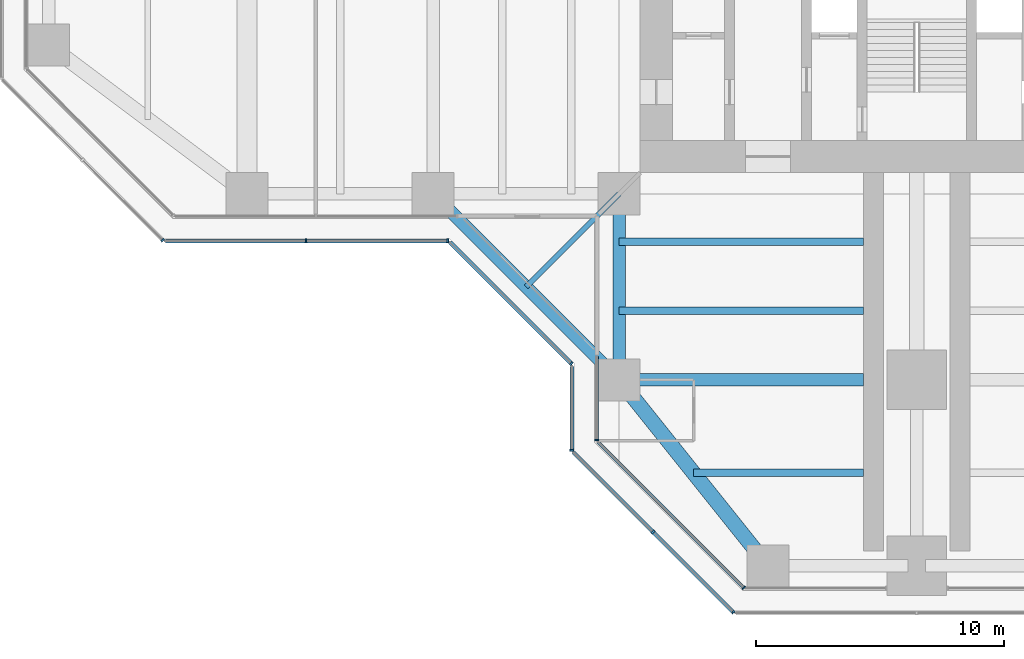
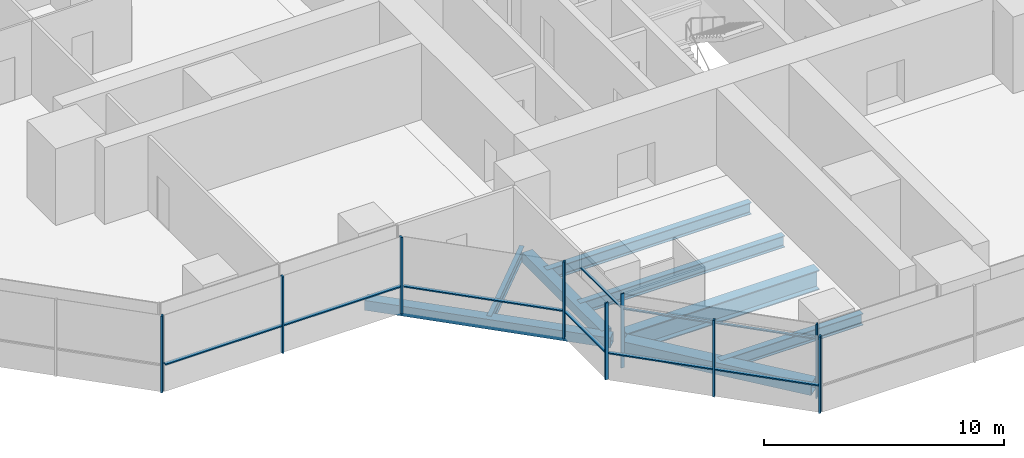
# One storey, part 2 of 19: 17 members, 8 beams, 7 elements without a shape of their own.
"""IFC4 building model written with IfcOpenShell, lengths in metres."""

from ifc_helpers import new_model, si_unit, direction, frame, origin, origin_2d, place, context, subcontext, project, spatial, rectangle, hollow_rectangle, i_section, extrude, material, material_profile, profile_set, type_object, element, aggregate, save


model = new_model("IFC4")

# Units and contexts
model_context = context("Model", 3, precision=1e-05, world=origin(), true_north=direction((0.0, 1.0)))
body_context = subcontext(model_context, "Body", "Model", "MODEL_VIEW")
ifc_project = project(units=[si_unit("LENGTHUNIT", "METRE"), si_unit("AREAUNIT", "SQUARE_METRE"), si_unit("VOLUMEUNIT", "CUBIC_METRE"), si_unit("PLANEANGLEUNIT", "RADIAN"), si_unit("MASSUNIT", "GRAM", prefix="KILO")], contexts=[model_context])

# Site, building, storey
site_placement = place(None, origin())
site = spatial("IfcSite", under=ifc_project, at=site_placement, CompositionType="ELEMENT")
building_placement = place(site_placement, origin())
building = spatial("IfcBuilding", under=site, at=building_placement, Name="Mizan Broadcast Tower", CompositionType="ELEMENT")
storey_placement = place(building_placement, frame((0.0, 0.0, 167.10009765625)))
storey = spatial("IfcBuildingStorey", under=building, at=storey_placement, Name="L38", CompositionType="ELEMENT", Elevation=167.10009765625)

# Beams
ifc_material_1 = material(Name="Steel S355", Category="steel")
ifc_material_profile_1 = material_profile(ifc_material_1, hollow_rectangle(XDim=0.5, YDim=0.5, WallThickness=0.030029296875, at=origin_2d()), Name="BOX 500x500x30")
ifc_profile_set_1 = profile_set([ifc_material_profile_1], Name="Steel S355")
beam_type_1 = type_object("IfcBeamType", Name="EDGE BEAM BOX 500x500x30", PredefinedType="SPANDREL", material=ifc_profile_set_1)
beam_1_placement = place(storey_placement, frame((-12.0, -12.449951171875, -0.380126953125), z_axis=(0.0, -1.0, 0.0), x_axis=(1.0, 0.0, 0.0)))
element("IfcBeam", 1, at=beam_1_placement, inside=storey, type_object=beam_type_1, Name="Edge beam BOX 500x500x30 L38 south arm", PredefinedType="SPANDREL", context=body_context, shape_type="SweptSolid", body=[
    extrude(hollow_rectangle(XDim=0.5, YDim=0.5, WallThickness=0.030029296875, at=origin_2d()), origin(), (0.0, 0.0, 1.0), 6.60009765625),
])
beam_2_placement = place(storey_placement, frame((-19.5, -12.0, -0.380126953125), z_axis=(0.707106781187, -0.707106781187, 0.0), x_axis=(0.707106781187, 0.707106781187, 0.0)))
element("IfcBeam", 2, at=beam_2_placement, inside=storey, type_object=beam_type_1, Name="Winter garden edge beam L38 W", PredefinedType="SPANDREL", context=body_context, shape_type="SweptSolid", body=[
    extrude(hollow_rectangle(XDim=0.5, YDim=0.5, WallThickness=0.030029296875, at=origin_2d()), origin(), (0.0, 0.0, 1.0), 10.606689453125),
])
ifc_material_2 = material(Name="Steel S355", Category="steel")
ifc_material_profile_2 = material_profile(ifc_material_2, hollow_rectangle(XDim=0.60009765625, YDim=0.60009765625, WallThickness=0.030029296875, at=origin_2d()), Name="BOX 600x600x30")
ifc_profile_set_2 = profile_set([ifc_material_profile_2], Name="Steel S355")
beam_type_2 = type_object("IfcBeamType", Name="EDGE BEAM BOX 600x600x30", PredefinedType="SPANDREL", material=ifc_profile_set_2)
beam_3_placement = place(storey_placement, frame((-11.639892578125, -19.949951171875, -0.43017578125), z_axis=(0.624673911726, -0.780885717636, 0.0), x_axis=(0.780885717636, 0.624673911726, 0.0)))
element("IfcBeam", 3, at=beam_3_placement, inside=storey, type_object=beam_type_2, Name="Edge beam BOX 600x600x30 L38 south arm", PredefinedType="SPANDREL", context=body_context, shape_type="SweptSolid", body=[
    extrude(hollow_rectangle(XDim=0.60009765625, YDim=0.60009765625, WallThickness=0.030029296875, at=origin_2d()), origin(), (0.0, 0.0, 1.0), 8.4521484375),
])
ifc_material_3 = material(Name="Steel S460", Category="steel")
ifc_material_profile_3 = material_profile(ifc_material_3, i_section(OverallWidth=0.5, OverallDepth=1.0, WebThickness=0.02490234375, FlangeThickness=0.050048828125, at=origin_2d()), Name="WPG 1000x500")
ifc_profile_set_3 = profile_set([ifc_material_profile_3], Name="Steel S460")
beam_type_3 = type_object("IfcBeamType", Name="GIRDER WPG 1000x500", PredefinedType="BEAM", material=ifc_profile_set_3)
beam_4_placement = place(storey_placement, frame((-11.408935546875, -19.5, -0.630126953125), z_axis=(1.0, 0.0, 0.0), x_axis=(0.0, 1.0, 0.0)))
element("IfcBeam", 4, at=beam_4_placement, inside=storey, type_object=beam_type_3, Name="Girder WPG 1000x500 L38 south arm", PredefinedType="BEAM", context=body_context, shape_type="SweptSolid", body=[
    extrude(i_section(OverallWidth=0.5, OverallDepth=1.0, WebThickness=0.02490234375, FlangeThickness=0.050048828125, at=origin_2d()), origin(), (0.0, 0.0, 1.0), 9.259033203125),
])

# Curtain wall, member
ifc_material_4 = material(Name="Aluminium framed glazing", Category="aluminium")
curtain_wall_type_1 = type_object("IfcCurtainWallType", Name="INNER SKIN MID ZONE", PredefinedType="USERDEFINED", material=ifc_material_4)
curtain_wall_1_placement = place(storey_placement, origin())
curtain_wall_1 = element("IfcCurtainWall", 5, at=curtain_wall_1_placement, inside=storey, type_object=curtain_wall_type_1, Name="Inner skin mid zone L38 S side", ObjectType="INNER SKIN MID ZONE", PredefinedType="USERDEFINED")
ifc_material_5 = material(Name="Aluminium, pale anodised", Category="aluminium")
ifc_material_profile_4 = material_profile(ifc_material_5, rectangle(XDim=0.159912109375, YDim=0.06005859375, at=origin_2d()), Name="MULLION 160x60")
ifc_profile_set_4 = profile_set([ifc_material_profile_4], Name="Aluminium, pale anodised")
member_type_1 = type_object("IfcMemberType", Name="INNER SKIN MULLION 60x160", PredefinedType="MULLION", material=ifc_profile_set_4)
member_1_placement = place(storey_placement, frame((-12.89990234375, -21.928466796875, 0.0), z_axis=(0.0, 0.0, 1.0), x_axis=(1.0, 0.0, 0.0)))
member_1 = element("IfcMember", 6, at=member_1_placement, type_object=member_type_1, Name="Inner skin mid zone L38 S side mullion 2", PredefinedType="MULLION", context=body_context, shape_type="SweptSolid", body=[
    extrude(rectangle(XDim=0.159912109375, YDim=0.06005859375, at=origin_2d()), origin(), (0.0, 0.0, 1.0), 3.77001953125),
])

curtain_wall_2_placement = place(storey_placement, origin())
curtain_wall_2 = element("IfcCurtainWall", 7, at=curtain_wall_2_placement, inside=storey, type_object=curtain_wall_type_1, Name="Inner skin mid zone L38 S chamfer", ObjectType="INNER SKIN MID ZONE", PredefinedType="USERDEFINED")
member_2_placement = place(storey_placement, frame((-6.979736328125, -27.87890625, 0.0), z_axis=(0.0, 0.0, 1.0), x_axis=(0.707106781187, 0.707106781187, 0.0)))
member_2 = element("IfcMember", 8, at=member_2_placement, type_object=member_type_1, Name="Inner skin mid zone L38 S chamfer mullion 2", PredefinedType="MULLION", context=body_context, shape_type="SweptSolid", body=[
    extrude(rectangle(XDim=0.159912109375, YDim=0.06005859375, at=origin_2d()), origin(), (0.0, 0.0, 1.0), 3.77001953125),
])

# Member
ifc_material_6 = material(Name="Aluminium, pale anodised", Category="aluminium")
ifc_material_profile_5 = material_profile(ifc_material_6, rectangle(XDim=0.1201171875, YDim=0.06005859375, at=origin_2d()), Name="TRANSOM 120x60")
ifc_profile_set_5 = profile_set([ifc_material_profile_5], Name="Aluminium, pale anodised")
member_type_2 = type_object("IfcMemberType", Name="INNER SKIN TRANSOM 60x120", PredefinedType="USERDEFINED", material=ifc_profile_set_5)
member_3_placement = place(storey_placement, frame((-12.89990234375, -18.56005859375, 3.02978515625), z_axis=(0.0, -1.0, 0.0), x_axis=(1.0, 0.0, 0.0)))
member_3 = element("IfcMember", 9, at=member_3_placement, type_object=member_type_2, Name="Inner skin mid zone L38 S side transom 1.1", ObjectType="TRANSOM", PredefinedType="USERDEFINED", context=body_context, shape_type="SweptSolid", body=[
    extrude(rectangle(XDim=0.1201171875, YDim=0.06005859375, at=origin_2d()), origin(), (0.0, 0.0, 1.0), 3.338623046875),
])

aggregate(curtain_wall_1, [member_1, member_3])

member_4_placement = place(storey_placement, frame((-12.857666015625, -22.0009765625, 3.02978515625), z_axis=(0.707106781187, -0.707106781187, 0.0), x_axis=(0.707106781187, 0.707106781187, 0.0)))
member_4 = element("IfcMember", 10, at=member_4_placement, type_object=member_type_2, Name="Inner skin mid zone L38 S chamfer transom 1.1", ObjectType="TRANSOM", PredefinedType="USERDEFINED", context=body_context, shape_type="SweptSolid", body=[
    extrude(rectangle(XDim=0.1201171875, YDim=0.06005859375, at=origin_2d()), origin(), (0.0, 0.0, 1.0), 8.28271484375),
])

aggregate(curtain_wall_2, [member_2, member_4])

# Curtain wall, member
ifc_material_7 = material(Name="Aluminium framed glazing", Category="aluminium")
curtain_wall_type_2 = type_object("IfcCurtainWallType", Name="OUTER SKIN", PredefinedType="USERDEFINED", material=ifc_material_7)
curtain_wall_3_placement = place(storey_placement, origin())
curtain_wall_3 = element("IfcCurtainWall", 11, at=curtain_wall_3_placement, inside=storey, type_object=curtain_wall_type_2, Name="Outer skin L38 W chamfer", ObjectType="OUTER SKIN", PredefinedType="USERDEFINED")
ifc_material_8 = material(Name="Aluminium, pale anodised", Category="aluminium")
ifc_material_profile_6 = material_profile(ifc_material_8, rectangle(XDim=0.159912109375, YDim=0.080078125, at=origin_2d()), Name="MULLION 160x80")
ifc_profile_set_6 = profile_set([ifc_material_profile_6], Name="Aluminium, pale anodised")
member_type_3 = type_object("IfcMemberType", Name="OUTER SKIN MULLION 80x160", PredefinedType="MULLION", material=ifc_profile_set_6)
member_5_placement = place(storey_placement, frame((-30.401123046875, -13.871826171875, 0.0), z_axis=(0.0, 0.0, 1.0), x_axis=(0.707106781187, 0.707106781187, 0.0)))
member_5 = element("IfcMember", 12, at=member_5_placement, type_object=member_type_3, Name="Outer skin L38 W chamfer mullion 3", PredefinedType="MULLION", context=body_context, shape_type="SweptSolid", body=[
    extrude(rectangle(XDim=0.159912109375, YDim=0.080078125, at=origin_2d()), origin(), (0.0, 0.0, 1.0), 3.89990234375),
])
aggregate(curtain_wall_3, [member_5])

# Curtain wall, members
curtain_wall_4_placement = place(storey_placement, origin())
curtain_wall_4 = element("IfcCurtainWall", 13, at=curtain_wall_4_placement, inside=storey, type_object=curtain_wall_type_2, Name="Outer skin L38 W side", ObjectType="OUTER SKIN", PredefinedType="USERDEFINED")
member_6_placement = place(storey_placement, frame((-24.622802734375, -13.89990234375, 0.0), z_axis=(0.0, 0.0, 1.0), x_axis=(0.0, 1.0, 0.0)))
member_6 = element("IfcMember", 14, at=member_6_placement, type_object=member_type_3, Name="Outer skin L38 W side mullion 2", PredefinedType="MULLION", context=body_context, shape_type="SweptSolid", body=[
    extrude(rectangle(XDim=0.159912109375, YDim=0.080078125, at=origin_2d()), origin(), (0.0, 0.0, 1.0), 3.89990234375),
])
member_7_placement = place(storey_placement, frame((-18.912841796875, -13.89990234375, 0.0), z_axis=(0.0, 0.0, 1.0), x_axis=(0.0, 1.0, 0.0)))
member_7 = element("IfcMember", 15, at=member_7_placement, type_object=member_type_3, Name="Outer skin L38 W side mullion 3", PredefinedType="MULLION", context=body_context, shape_type="SweptSolid", body=[
    extrude(rectangle(XDim=0.159912109375, YDim=0.080078125, at=origin_2d()), origin(), (0.0, 0.0, 1.0), 3.89990234375),
])

# Curtain wall, member
curtain_wall_5_placement = place(storey_placement, origin())
curtain_wall_5 = element("IfcCurtainWall", 16, at=curtain_wall_5_placement, inside=storey, type_object=curtain_wall_type_2, Name="Outer skin L38 W chamfer", ObjectType="OUTER SKIN", PredefinedType="USERDEFINED")
member_8_placement = place(storey_placement, frame((-13.92822265625, -18.844482421875, 0.0), z_axis=(0.0, 0.0, 1.0), x_axis=(0.707106781187, 0.707106781187, 0.0)))
member_8 = element("IfcMember", 17, at=member_8_placement, type_object=member_type_3, Name="Outer skin L38 W chamfer mullion 2", PredefinedType="MULLION", context=body_context, shape_type="SweptSolid", body=[
    extrude(rectangle(XDim=0.159912109375, YDim=0.080078125, at=origin_2d()), origin(), (0.0, 0.0, 1.0), 3.89990234375),
])

curtain_wall_6_placement = place(storey_placement, origin())
curtain_wall_6 = element("IfcCurtainWall", 18, at=curtain_wall_6_placement, inside=storey, type_object=curtain_wall_type_2, Name="Outer skin L38 S side", ObjectType="OUTER SKIN", PredefinedType="USERDEFINED")
member_9_placement = place(storey_placement, frame((-13.89990234375, -22.332763671875, 0.0), z_axis=(0.0, 0.0, 1.0), x_axis=(1.0, 0.0, 0.0)))
member_9 = element("IfcMember", 19, at=member_9_placement, type_object=member_type_3, Name="Outer skin L38 S side mullion 2", PredefinedType="MULLION", context=body_context, shape_type="SweptSolid", body=[
    extrude(rectangle(XDim=0.159912109375, YDim=0.080078125, at=origin_2d()), origin(), (0.0, 0.0, 1.0), 3.89990234375),
])

# Curtain wall, members
curtain_wall_7_placement = place(storey_placement, origin())
curtain_wall_7 = element("IfcCurtainWall", 20, at=curtain_wall_7_placement, inside=storey, type_object=curtain_wall_type_2, Name="Outer skin L38 S chamfer", ObjectType="OUTER SKIN", PredefinedType="USERDEFINED")
member_10_placement = place(storey_placement, frame((-10.636474609375, -25.636474609375, 0.0), z_axis=(0.0, 0.0, 1.0), x_axis=(0.707106781187, 0.707106781187, 0.0)))
member_10 = element("IfcMember", 21, at=member_10_placement, type_object=member_type_3, Name="Outer skin L38 S chamfer mullion 2", PredefinedType="MULLION", context=body_context, shape_type="SweptSolid", body=[
    extrude(rectangle(XDim=0.159912109375, YDim=0.080078125, at=origin_2d()), origin(), (0.0, 0.0, 1.0), 3.89990234375),
])
member_11_placement = place(storey_placement, frame((-7.401123046875, -28.871826171875, 0.0), z_axis=(0.0, 0.0, 1.0), x_axis=(0.707106781187, 0.707106781187, 0.0)))
member_11 = element("IfcMember", 22, at=member_11_placement, type_object=member_type_3, Name="Outer skin L38 S chamfer mullion 3", PredefinedType="MULLION", context=body_context, shape_type="SweptSolid", body=[
    extrude(rectangle(XDim=0.159912109375, YDim=0.080078125, at=origin_2d()), origin(), (0.0, 0.0, 1.0), 3.89990234375),
])

# Member
ifc_material_9 = material(Name="Aluminium, pale anodised", Category="aluminium")
ifc_material_profile_7 = material_profile(ifc_material_9, rectangle(XDim=0.159912109375, YDim=0.06005859375, at=origin_2d()), Name="TRANSOM 160x60")
ifc_profile_set_7 = profile_set([ifc_material_profile_7], Name="Aluminium, pale anodised")
member_type_4 = type_object("IfcMemberType", Name="OUTER SKIN TRANSOM 60x160", PredefinedType="USERDEFINED", material=ifc_profile_set_7)
member_12_placement = place(storey_placement, frame((-30.292724609375, -13.89990234375, 1.39990234375), z_axis=(1.0, 0.0, 0.0), x_axis=(0.0, 1.0, 0.0)))
member_12 = element("IfcMember", 23, at=member_12_placement, type_object=member_type_4, Name="Outer skin L38 W side transom 1.1", ObjectType="TRANSOM", PredefinedType="USERDEFINED", context=body_context, shape_type="SweptSolid", body=[
    extrude(rectangle(XDim=0.159912109375, YDim=0.06005859375, at=origin_2d()), origin(), (0.0, 0.0, 1.0), 5.6298828125),
])

member_13_placement = place(storey_placement, frame((-24.582763671875, -13.89990234375, 1.39990234375), z_axis=(1.0, 0.0, 0.0), x_axis=(0.0, 1.0, 0.0)))
member_13 = element("IfcMember", 24, at=member_13_placement, type_object=member_type_4, Name="Outer skin L38 W side transom 2.1", ObjectType="TRANSOM", PredefinedType="USERDEFINED", context=body_context, shape_type="SweptSolid", body=[
    extrude(rectangle(XDim=0.159912109375, YDim=0.06005859375, at=origin_2d()), origin(), (0.0, 0.0, 1.0), 5.6298828125),
])

aggregate(curtain_wall_4, [member_6, member_7, member_12, member_13])

member_14_placement = place(storey_placement, frame((-18.816162109375, -13.95654296875, 1.39990234375), z_axis=(0.707106781187, -0.707106781187, 0.0), x_axis=(0.707106781187, 0.707106781187, 0.0)))
member_14 = element("IfcMember", 25, at=member_14_placement, type_object=member_type_4, Name="Outer skin L38 W chamfer transom 1.1", ObjectType="TRANSOM", PredefinedType="USERDEFINED", context=body_context, shape_type="SweptSolid", body=[
    extrude(rectangle(XDim=0.159912109375, YDim=0.06005859375, at=origin_2d()), origin(), (0.0, 0.0, 1.0), 6.87255859375),
])

aggregate(curtain_wall_5, [member_8, member_14])

member_15_placement = place(storey_placement, frame((-13.89990234375, -18.952880859375, 1.39990234375), z_axis=(0.0, -1.0, 0.0), x_axis=(1.0, 0.0, 0.0)))
member_15 = element("IfcMember", 26, at=member_15_placement, type_object=member_type_4, Name="Outer skin L38 S side transom 1.1", ObjectType="TRANSOM", PredefinedType="USERDEFINED", context=body_context, shape_type="SweptSolid", body=[
    extrude(rectangle(XDim=0.159912109375, YDim=0.06005859375, at=origin_2d()), origin(), (0.0, 0.0, 1.0), 3.33984375),
])

aggregate(curtain_wall_6, [member_9, member_15])

member_16_placement = place(storey_placement, frame((-13.843505859375, -22.429443359375, 1.39990234375), z_axis=(0.707106781187, -0.707106781187, 0.0), x_axis=(0.707106781187, 0.707106781187, 0.0)))
member_16 = element("IfcMember", 27, at=member_16_placement, type_object=member_type_4, Name="Outer skin L38 S chamfer transom 1.1", ObjectType="TRANSOM", PredefinedType="USERDEFINED", context=body_context, shape_type="SweptSolid", body=[
    extrude(rectangle(XDim=0.159912109375, YDim=0.06005859375, at=origin_2d()), origin(), (0.0, 0.0, 1.0), 4.495361328125),
])

member_17_placement = place(storey_placement, frame((-10.608154296875, -25.664794921875, 1.39990234375), z_axis=(0.707106781187, -0.707106781187, 0.0), x_axis=(0.707106781187, 0.707106781187, 0.0)))
member_17 = element("IfcMember", 28, at=member_17_placement, type_object=member_type_4, Name="Outer skin L38 S chamfer transom 2.1", ObjectType="TRANSOM", PredefinedType="USERDEFINED", context=body_context, shape_type="SweptSolid", body=[
    extrude(rectangle(XDim=0.159912109375, YDim=0.06005859375, at=origin_2d()), origin(), (0.0, 0.0, 1.0), 4.495361328125),
])

aggregate(curtain_wall_7, [member_10, member_11, member_16, member_17])

# Beams
ifc_material_10 = material(Name="Steel S355", Category="steel")
ifc_material_profile_8 = material_profile(ifc_material_10, i_section(OverallWidth=0.300048828125, OverallDepth=0.590087890625, WebThickness=0.012939453125, FlangeThickness=0.02490234375, FilletRadius=0.027099609375, at=origin_2d()), Name="HEA 600")
ifc_profile_set_8 = profile_set([ifc_material_profile_8], Name="Steel S355")
beam_type_4 = type_object("IfcBeamType", Name="SECONDARY BEAM HEA 600", PredefinedType="JOIST", material=ifc_profile_set_8)
for number, where, z_axis, x_axis, name in (
    (29, (-12.0, -13.933349609375, -0.425048828125), (1.0, 0.0, 0.0), (0.0, 1.0, 0.0), "Secondary beam HEA 600 L38 south arm"),
    (30, (-12.0, -16.716552734375, -0.425048828125), (1.0, 0.0, 0.0), (0.0, 1.0, 0.0), "Secondary beam HEA 600 L38 south arm"),
):
    element("IfcBeam", number, at=place(storey_placement, frame(where, z_axis=z_axis, x_axis=x_axis)), inside=storey, type_object=beam_type_4, Name=name, PredefinedType="JOIST", context=body_context, shape_type="SweptSolid", body=[
        extrude(i_section(OverallWidth=0.300048828125, OverallDepth=0.590087890625, WebThickness=0.012939453125, FlangeThickness=0.02490234375, FilletRadius=0.027099609375, at=origin_2d()), origin(), (0.0, 0.0, 1.0), 9.85009765625),
    ])
beam_5_placement = place(storey_placement, frame((-9.0, -23.25, -0.425048828125), z_axis=(1.0, 0.0, 0.0), x_axis=(0.0, 1.0, 0.0)))
element("IfcBeam", 31, at=beam_5_placement, inside=storey, type_object=beam_type_4, Name="Secondary beam HEA 600 L38 south arm", PredefinedType="JOIST", context=body_context, shape_type="SweptSolid", body=[
    extrude(i_section(OverallWidth=0.300048828125, OverallDepth=0.590087890625, WebThickness=0.012939453125, FlangeThickness=0.02490234375, FilletRadius=0.027099609375, at=origin_2d()), origin(), (0.0, 0.0, 1.0), 6.85009765625),
])
ifc_material_11 = material(Name="Steel S355", Category="steel")
ifc_material_profile_9 = material_profile(ifc_material_11, i_section(OverallWidth=0.2099609375, OverallDepth=0.550048828125, WebThickness=0.010986328125, FlangeThickness=0.01708984375, FilletRadius=0.02392578125, at=origin_2d()), Name="IPE 550")
ifc_profile_set_9 = profile_set([ifc_material_profile_9], Name="Steel S355")
beam_type_5 = type_object("IfcBeamType", Name="SECONDARY BEAM IPE 550", PredefinedType="JOIST", material=ifc_profile_set_9)
beam_6_placement = place(storey_placement, frame((-12.0, -12.0, -0.405029296875), z_axis=(-0.707106781187, -0.707106781187, 0.0), x_axis=(0.707106781187, -0.707106781187, 0.0)))
element("IfcBeam", 32, at=beam_6_placement, inside=storey, type_object=beam_type_5, Name="Winter garden beam L38 W", PredefinedType="JOIST", context=body_context, shape_type="SweptSolid", body=[
    extrude(i_section(OverallWidth=0.2099609375, OverallDepth=0.550048828125, WebThickness=0.010986328125, FlangeThickness=0.01708984375, FilletRadius=0.02392578125, at=origin_2d()), origin(), (0.0, 0.0, 1.0), 5.30322265625),
])

save(model, "model.ifc")
